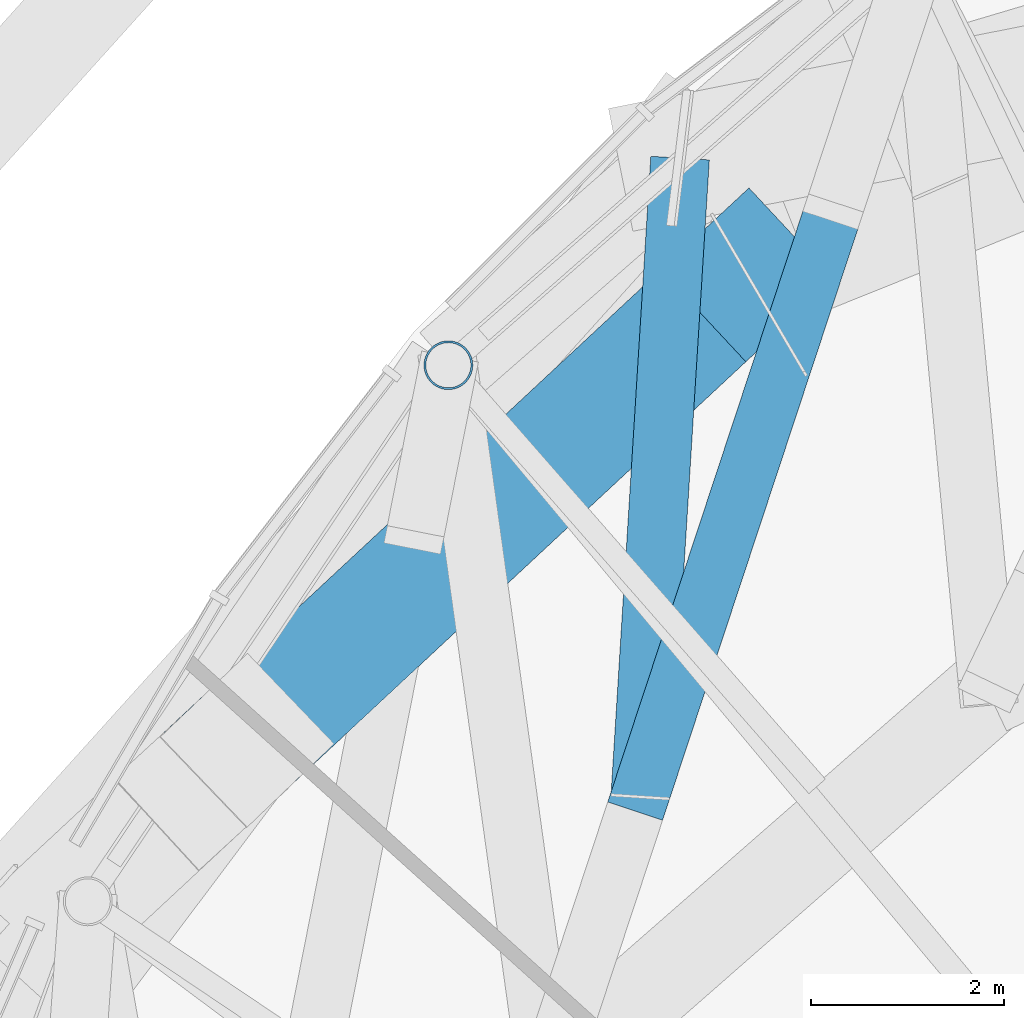
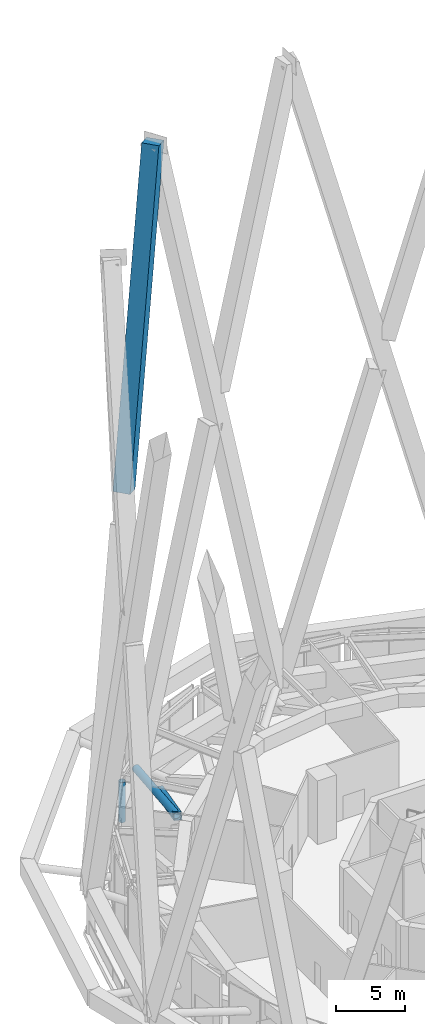
# One storey, part 20 of 48: 3 members, 1 beam.
"""IFC4 building model written with IfcOpenShell, lengths in metres."""

import ifcopenshell
import ifcopenshell.guid

model = None  # the IFC model being written
_history = None  # IfcOwnerHistory: only IFC2X3 demands one
_inside = {}  # id of a spatial element -> (the spatial element, [elements in it])
_under = {}  # id of a project, library or spatial element -> (it, [spatial elements below it])
_declared = {}  # id of a project -> (the project, [libraries it declares])
_typed = {}  # id of a type object -> (the type object, [elements of that type])
_made_of = {}  # id of a material, layer set ... -> (it, [elements and type objects made of it])


def new_model(schema):
    """Start an empty IFC model of exactly this schema.

    Asked for "IFC4X3", IfcOpenShell would pick the latest addendum, in which some entities
    have other attributes; the version numbers below select the first issue.
    IFC2X3 requires an IfcOwnerHistory on every rooted entity: one is made here for all.
    """
    global model, _history
    if schema == "IFC4X3":
        model = ifcopenshell.file(schema_version=(4, 3, 0, 0))
    else:
        model = ifcopenshell.file(schema=schema)
    _inside.clear()
    _under.clear()
    _declared.clear()
    _typed.clear()
    _made_of.clear()
    _history = None
    if model.schema == "IFC2X3":
        org = make("IfcOrganization", Name="unknown")
        user = make(
            "IfcPersonAndOrganization",
            ThePerson=make("IfcPerson", FamilyName="unknown"),
            TheOrganization=org,
        )
        app = make(
            "IfcApplication",
            ApplicationDeveloper=org,
            Version="unknown",
            ApplicationFullName="unknown",
            ApplicationIdentifier="unknown",
        )
        _history = make(
            "IfcOwnerHistory",
            OwningUser=user,
            OwningApplication=app,
            ChangeAction="ADDED",
            CreationDate=0,
        )
    return model


def make(cls, **values):
    """One entity of the class cls with the attributes given. An attribute that is None is left unset."""
    return model.create_entity(
        cls, **{name: value for name, value in values.items() if value is not None}
    )


def rooted(cls, **values):
    """An entity with a GlobalId (a new one), such as an element, a storey or a relation."""
    return make(cls, GlobalId=ifcopenshell.guid.new(), OwnerHistory=_history, **values)


def si_unit(unit_type, name, prefix=None):
    """IfcSIUnit, for example si_unit("LENGTHUNIT", "METRE", prefix="MILLI")."""
    return make("IfcSIUnit", UnitType=unit_type, Prefix=prefix, Name=name)


def assignment(units):
    """IfcUnitAssignment: the units of a project."""
    return None if units is None else make("IfcUnitAssignment", Units=units)


def point(xyz):
    """IfcCartesianPoint."""
    return None if xyz is None else make("IfcCartesianPoint", Coordinates=xyz)


def direction(xyz):
    """IfcDirection."""
    return None if xyz is None else make("IfcDirection", DirectionRatios=xyz)


def frame(location, z_axis=None, x_axis=None):
    """IfcAxis2Placement3D, a coordinate frame: its origin and axes. An axis left out is left unset."""
    return make(
        "IfcAxis2Placement3D",
        Location=point(location),
        Axis=direction(z_axis),
        RefDirection=direction(x_axis),
    )


def frame_2d(location, x_axis=None):
    """IfcAxis2Placement2D, a coordinate frame in the plane: its origin and x axis."""
    return make(
        "IfcAxis2Placement2D", Location=point(location), RefDirection=direction(x_axis)
    )


def origin():
    """The frame at (0, 0, 0) with its axes left unset."""
    return frame((0.0, 0.0, 0.0))


def origin_2d():
    """The frame at (0, 0) in the plane with its x axis left unset."""
    return frame_2d((0.0, 0.0))


def place(relative_to, where):
    """IfcLocalPlacement: puts the frame where relative to a parent placement (None: the world)."""
    return make(
        "IfcLocalPlacement", PlacementRelTo=relative_to, RelativePlacement=where
    )


def context(
    kind, dimensions, precision=None, world=None, true_north=None, identifier=None
):
    """IfcGeometricRepresentationContext, for example the 3D "Model" context."""
    return make(
        "IfcGeometricRepresentationContext",
        ContextIdentifier=identifier,
        ContextType=kind,
        CoordinateSpaceDimension=dimensions,
        Precision=precision,
        WorldCoordinateSystem=world,
        TrueNorth=true_north,
    )


def subcontext(parent, identifier, kind, view, scale=None):
    """IfcGeometricRepresentationSubContext, for example "Body" below "Model"."""
    return make(
        "IfcGeometricRepresentationSubContext",
        ContextIdentifier=identifier,
        ContextType=kind,
        ParentContext=parent,
        TargetScale=scale,
        TargetView=view,
    )


def project(units=None, contexts=None):
    """IfcProject with its units and contexts."""
    return rooted(
        "IfcProject",
        Name="project",
        RepresentationContexts=contexts,
        UnitsInContext=assignment(units),
    )


def spatial(cls, under=None, at=None, **own):
    """A site, building, storey or space (cls), placed at a placement, below another one or the project."""
    s = rooted(cls, ObjectPlacement=at, **own)
    if under is not None:
        _under.setdefault(under.id(), (under, []))[1].append(s)
    return s


def profile(cls, at=None, kind="AREA", **sizes):
    """A parametric profile (cls). Its sizes go by their IFC names, for example OverallWidth=200.0."""
    return make(cls, ProfileType=kind, Position=at, **sizes)


def rectangle(**sizes):
    """IfcRectangleProfileDef."""
    return profile("IfcRectangleProfileDef", **sizes)


def hollow_rectangle(**sizes):
    """IfcRectangleHollowProfileDef."""
    return profile("IfcRectangleHollowProfileDef", **sizes)


def hollow_circle(**sizes):
    """IfcCircleHollowProfileDef."""
    return profile("IfcCircleHollowProfileDef", **sizes)


def extrude(swept, where, along, depth):
    """IfcExtrudedAreaSolid: the profile swept, set in the frame where, extruded along a direction by depth."""
    return make(
        "IfcExtrudedAreaSolid",
        SweptArea=swept,
        Position=where,
        ExtrudedDirection=direction(along),
        Depth=depth,
    )


def shape(context_of_items, identifier, shape_type, items):
    """IfcShapeRepresentation: the items that make up one representation, for example the "Body"."""
    return make(
        "IfcShapeRepresentation",
        ContextOfItems=context_of_items,
        RepresentationIdentifier=identifier,
        RepresentationType=shape_type,
        Items=items,
    )


def material(Name=None, Category=None):
    """IfcMaterial."""
    return make("IfcMaterial", Name=Name, Category=Category)


def material_profile(
    of_material, cross_section, Name=None, Category=None, Priority=None
):
    """IfcMaterialProfile: a cross section and its material."""
    return make(
        "IfcMaterialProfile",
        Name=Name,
        Material=of_material,
        Profile=cross_section,
        Priority=Priority,
        Category=Category,
    )


def profile_set(profiles, Name=None, composite=None):
    """IfcMaterialProfileSet."""
    return make(
        "IfcMaterialProfileSet",
        Name=Name,
        MaterialProfiles=profiles,
        CompositeProfile=composite,
    )


def made_of(thing, what):
    """Note that an element or type object is made of a material, layer set ...; save() writes the relation."""
    if what is not None:
        _made_of.setdefault(what.id(), (what, []))[1].append(thing)
    return thing


def type_object(cls, material=None, **own):
    """A type object (cls), such as IfcWallType, which elements share."""
    return made_of(rooted(cls, **own), material)


def element(
    cls,
    number,
    at=None,
    inside=None,
    cuts=None,
    type_object=None,
    material=None,
    context=None,
    identifier="Body",
    shape_type=None,
    held_by="IfcProductDefinitionShape",
    body=None,
    shapes=None,
    **own,
):
    """One element of the class cls, such as IfcWall. Its Tag is "e" and its number.

    at: its placement. inside: the storey or other place that contains it. cuts: it is an
    opening in that element (IfcRelVoidsElement). A single representation is given by context,
    identifier, shape_type and body (its items); several are given by shapes. held_by: the class
    of the entity that holds the representations. save() writes the other relations.
    """
    e = rooted(cls, Tag="e%d" % number, ObjectPlacement=at, **own)
    if body is not None:
        shapes = [shape(context, identifier, shape_type, body)]
    if shapes is not None:
        e.Representation = make(held_by, Representations=shapes)
    if inside is not None:
        _inside.setdefault(inside.id(), (inside, []))[1].append(e)
    if cuts is not None:
        rooted(
            "IfcRelVoidsElement", RelatingBuildingElement=cuts, RelatedOpeningElement=e
        )
    if type_object is not None:
        _typed.setdefault(type_object.id(), (type_object, []))[1].append(e)
    return made_of(e, material)


def aggregate(whole, parts):
    """IfcRelAggregates: a whole, such as a stair, and the parts it consists of."""
    return rooted("IfcRelAggregates", RelatingObject=whole, RelatedObjects=parts)


def save(model, path):
    """Write the relations noted so far, then the file.

    IfcRelAggregates (storeys below a building ...), IfcRelContainedInSpatialStructure (elements
    in a storey), IfcRelDefinesByType, IfcRelAssociatesMaterial and IfcRelDeclares: one each for
    every whole, place, type object, material and project.
    """
    for whole, parts in _under.values():
        aggregate(whole, parts)
    for where, things in _inside.values():
        rooted(
            "IfcRelContainedInSpatialStructure",
            RelatedElements=things,
            RelatingStructure=where,
        )
    for kind, things in _typed.values():
        rooted("IfcRelDefinesByType", RelatedObjects=things, RelatingType=kind)
    for what, things in _made_of.values():
        rooted("IfcRelAssociatesMaterial", RelatedObjects=things, RelatingMaterial=what)
    for by, libraries in _declared.values():
        rooted("IfcRelDeclares", RelatingContext=by, RelatedDefinitions=libraries)
    model.write(path)


model = new_model("IFC4")

# Units and contexts
model_context = context("Model", 3, precision=1e-05, world=origin(), true_north=direction((0.0, 1.0)))
body_context = subcontext(model_context, "Body", "Model", "MODEL_VIEW")
ifc_project = project(units=[si_unit("LENGTHUNIT", "METRE"), si_unit("AREAUNIT", "SQUARE_METRE"), si_unit("VOLUMEUNIT", "CUBIC_METRE"), si_unit("PLANEANGLEUNIT", "RADIAN"), si_unit("MASSUNIT", "GRAM", prefix="KILO")], contexts=[model_context])

# Site, building, storey
site_placement = place(None, origin())
site = spatial("IfcSite", under=ifc_project, at=site_placement, CompositionType="ELEMENT")
building_placement = place(site_placement, origin())
building = spatial("IfcBuilding", under=site, at=building_placement, Name="Nagisa Residences", CompositionType="ELEMENT")
storey_placement = place(building_placement, frame((0.0, 0.0, 252.89990234375)))
storey = spatial("IfcBuildingStorey", under=building, at=storey_placement, Name="L64", CompositionType="ELEMENT", Elevation=252.89990234375)

# Beam
ifc_material_1 = material(Name="Steel ASTM A572 Gr 50", Category="steel")
ifc_material_profile_1 = material_profile(ifc_material_1, hollow_rectangle(XDim=0.60009765625, YDim=0.60009765625, WallThickness=0.034912109375, at=origin_2d()), Name="BX 600x600x35")
ifc_profile_set_1 = profile_set([ifc_material_profile_1], Name="Steel ASTM A572 Gr 50")
beam_type = type_object("IfcBeamType", Name="Belt diagonal 5 BX 600x600x35", PredefinedType="BEAM", material=ifc_profile_set_1)
beam_placement = place(storey_placement, frame((-14.469970703125, 23.72607421875, 1.550048828125), z_axis=(-0.297221994142, -0.899908623733, 0.319098033729), x_axis=(0.949549442204, -0.313617373259, 0.0)))
element("IfcBeam", 1, at=beam_placement, inside=storey, type_object=beam_type, Name="beam:L64:bt5db09", PredefinedType="BEAM", context=body_context, shape_type="SweptSolid", body=[
    extrude(hollow_rectangle(XDim=0.60009765625, YDim=0.60009765625, WallThickness=0.034912109375, at=origin_2d()), origin(), (0.0, 0.0, 1.0), 7.019775390625),
])

# Members
ifc_material_2 = material(Name="Concrete C80", Category="concrete")
ifc_material_profile_2 = material_profile(ifc_material_2, rectangle(XDim=1.300048828125, YDim=1.300048828125, at=origin_2d()), Name="C80 1300x1300")
ifc_profile_set_2 = profile_set([ifc_material_profile_2], Name="Concrete C80")
member_type_1 = type_object("IfcMemberType", Name="Cage diagonal 6 C80 1300x1300", PredefinedType="BRACE", material=ifc_profile_set_2)
member_1_placement = place(storey_placement, frame((-20.554443359375, 18.23583984375, 33.3720703125), z_axis=(0.193230480161, 0.179861648294, 0.964526707256), x_axis=(-0.681332097412, 0.731974434687, 0.0)))
element("IfcMember", 2, at=member_1_placement, inside=storey, type_object=member_type_1, Name="mem:L64:cg6d010b", PredefinedType="BRACE", context=body_context, shape_type="SweptSolid", body=[
    extrude(rectangle(XDim=1.300048828125, YDim=1.300048828125, at=origin_2d()), origin(), (0.0, 0.0, 1.0), 26.881591796875),
])
ifc_material_3 = material(Name="Steel ASTM A572 Gr 65", Category="steel")
ifc_material_profile_3 = material_profile(ifc_material_3, hollow_circle(Radius=0.304931640625, WallThickness=0.02490234375, at=origin_2d()), Name="CHS 610x25")
ifc_profile_set_3 = profile_set([ifc_material_profile_3], Name="Steel ASTM A572 Gr 65")
member_type_2 = type_object("IfcMemberType", Name="Cage strut CHS 610x25", PredefinedType="STRUT", material=ifc_profile_set_3)
member_2_placement = place(storey_placement, frame((-16.06005859375, 24.283447265625, 3.7001953125), z_axis=(-0.062160615901, -0.998066159045, 0.0), x_axis=(0.998066159045, -0.062160615901, 0.0)))
element("IfcMember", 3, at=member_2_placement, inside=storey, type_object=member_type_2, Name="mem:L64:bt5st6b05", PredefinedType="STRUT", context=body_context, shape_type="SweptSolid", body=[
    extrude(hollow_circle(Radius=0.304931640625, WallThickness=0.02490234375, at=origin_2d()), origin(), (0.0, 0.0, 1.0), 6.6337890625),
])
ifc_material_4 = material(Name="Steel ASTM A572 Gr 65", Category="steel")
ifc_material_profile_4 = material_profile(ifc_material_4, hollow_circle(Radius=0.25390625, WallThickness=0.02001953125, at=origin_2d()), Name="CHS 508x20")
ifc_profile_set_4 = profile_set([ifc_material_profile_4], Name="Steel ASTM A572 Gr 65")
member_type_3 = type_object("IfcMemberType", Name="Garden edge post CHS 508x20", PredefinedType="POST", material=ifc_profile_set_4)
member_3_placement = place(storey_placement, frame((-18.466552734375, 22.1318359375, 1.2001953125), z_axis=(0.0, 0.0, 1.0), x_axis=(1.0, 0.0, 0.0)))
element("IfcMember", 4, at=member_3_placement, inside=storey, type_object=member_type_3, Name="mem:L64:gp510", PredefinedType="POST", context=body_context, shape_type="SweptSolid", body=[
    extrude(hollow_circle(Radius=0.25390625, WallThickness=0.02001953125, at=origin_2d()), origin(), (0.0, 0.0, 1.0), 3.536865234375),
])

save(model, "model.ifc")
